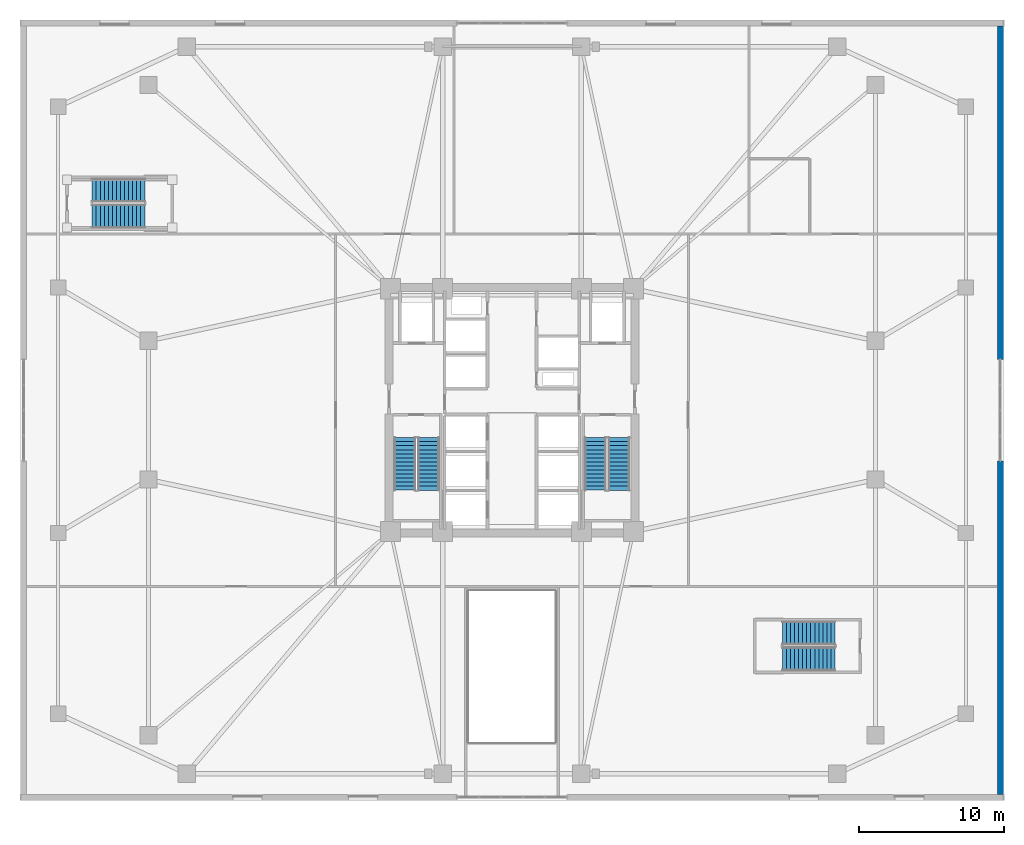
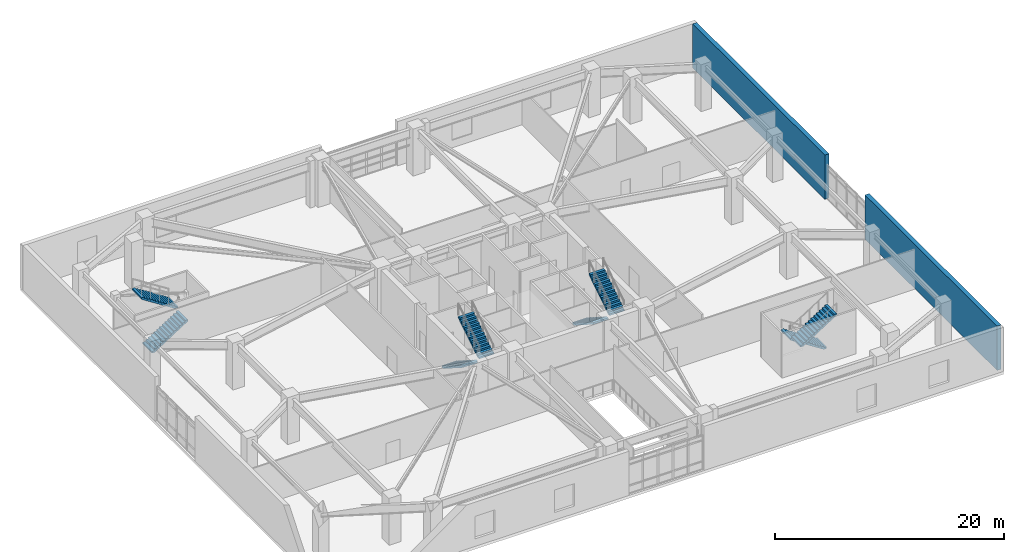
# One storey, part 14 of 20: 8 stair flights, 2 walls, 4 elements without a shape of their own.
"""IFC4 building model written with IfcOpenShell, lengths in metres."""

from ifc_helpers import new_model, si_unit, direction, frame, frame_2d, origin, place, context, subcontext, project, spatial, polyline, rectangle, outline, extrude, material, layer, layer_set, type_object, element, aggregate, save


model = new_model("IFC4")

# Units and contexts
model_context = context("Model", 3, precision=1e-05, world=origin(), true_north=direction((0.0, 1.0)))
body_context = subcontext(model_context, "Body", "Model", "MODEL_VIEW")
ifc_project = project(units=[si_unit("LENGTHUNIT", "METRE"), si_unit("AREAUNIT", "SQUARE_METRE"), si_unit("VOLUMEUNIT", "CUBIC_METRE"), si_unit("PLANEANGLEUNIT", "RADIAN"), si_unit("MASSUNIT", "GRAM", prefix="KILO")], contexts=[model_context])

# Site, building, storey
site_placement = place(None, origin())
site = spatial("IfcSite", under=ifc_project, at=site_placement, CompositionType="ELEMENT")
building_placement = place(site_placement, origin())
building = spatial("IfcBuilding", under=site, at=building_placement, Name="Cairnveth Concourse Tower", CompositionType="ELEMENT")
storey_placement = place(building_placement, frame((0.0, 0.0, 5.0)))
storey = spatial("IfcBuildingStorey", under=building, at=storey_placement, Name="L01", CompositionType="ELEMENT", Elevation=5.0)

# Walls
ifc_material_1 = material(Name="Hawthorn Red-Ochre Fired Clay Brick Masonry", Category="masonry")
ifc_layer = layer(ifc_material_1, 0.419921875)
ifc_layer_set = layer_set([ifc_layer], Name="Hawthorn Red-Ochre Fired Clay Brick Masonry")
wall_type = type_object("IfcWallType", Name="PODIUM HAWTHORN BRICK WALL 420", PredefinedType="SOLIDWALL", material=ifc_layer_set)
for number, where, z_axis, x_axis, name in (
    (1, (85.7900390625, 65.594970703125, 0.0), (0.0, 0.0, 1.0), (0.0, -1.0, 0.0), "Exterior Wall EW-L01-E1"),
    (2, (85.7900390625, 35.5, 0.0), (0.0, 0.0, 1.0), (0.0, -1.0, 0.0), "Exterior Wall EW-L01-E2"),
):
    element("IfcWall", number, at=place(storey_placement, frame(where, z_axis=z_axis, x_axis=x_axis)), inside=storey, type_object=wall_type, Name=name, PredefinedType="SOLIDWALL", context=body_context, shape_type="SweptSolid", body=[
        extrude(rectangle(XDim=23.094970703125, YDim=0.419921875, at=frame_2d((11.54736328125, 0.0))), origin(), (0.0, 0.0, 1.0), 4.719970703125),
    ])

# Stair, stair flights
ifc_material_2 = material(Name="Precast concrete N50 (50 MPa)", Category="concrete")
stair_type_1 = type_object("IfcStairType", Name="CORE DOG-LEG FIRE STAIR 1500", PredefinedType="HALF_TURN_STAIR", material=ifc_material_2)
stair_1_placement = place(storey_placement, origin())
stair_1 = element("IfcStair", 3, at=stair_1_placement, inside=storey, type_object=stair_type_1, Name="L01 Fire-Isolated Stair ST-1", PredefinedType="HALF_TURN_STAIR")
stair_flight_type_1 = type_object("IfcStairFlightType", Name="PRECAST CONCRETE STAIR FLIGHT 1500", PredefinedType="STRAIGHT", material=ifc_material_2)
stair_flight_1_placement = place(storey_placement, frame((44.590087890625, 37.10009765625, 0.0), z_axis=(0.0, 0.0, 1.0), x_axis=(0.0, -1.0, 0.0)))
stair_flight_1 = element("IfcStairFlight", 4, at=stair_flight_1_placement, type_object=stair_flight_type_1, Name="ST-1 flight 1", NumberOfRisers=14, NumberOfTreads=13, PredefinedType="STRAIGHT", RiserHeight=0.178571429, TreadLength=0.28, context=body_context, shape_type="SweptSolid", body=[
    extrude(outline(polyline([(0.0, 0.0), (0.0, 0.178466796875), (0.280029296875, 0.178466796875), (0.280029296875, 0.357177734375), (0.56005859375, 0.357177734375), (0.56005859375, 0.53564453125), (0.840087890625, 0.53564453125), (0.840087890625, 0.71435546875), (1.1201171875, 0.71435546875), (1.1201171875, 0.892822265625), (1.39990234375, 0.892822265625), (1.39990234375, 1.071533203125), (1.679931640625, 1.071533203125), (1.679931640625, 1.25), (1.9599609375, 1.25), (1.9599609375, 1.428466796875), (2.239990234375, 1.428466796875), (2.239990234375, 1.607177734375), (2.52001953125, 1.607177734375), (2.52001953125, 1.78564453125), (2.800048828125, 1.78564453125), (2.800048828125, 1.96435546875), (3.080078125, 1.96435546875), (3.080078125, 2.142822265625), (3.360107421875, 2.142822265625), (3.360107421875, 2.321533203125), (3.639892578125, 2.321533203125), (3.639892578125, 2.5), (3.639892578125, 2.1435546875), (0.27880859375, 0.0), (0.0, 0.0)])), frame((0.0, 0.75, 0.0), z_axis=(0.0, -1.0, 0.0), x_axis=(1.0, 0.0, 0.0)), (0.0, 0.0, 1.0), 1.5),
])
stair_flight_2_placement = place(storey_placement, frame((46.22998046875, 33.4599609375, 2.5), z_axis=(0.0, 0.0, 1.0), x_axis=(0.0, 1.0, 0.0)))
stair_flight_2 = element("IfcStairFlight", 5, at=stair_flight_2_placement, type_object=stair_flight_type_1, Name="ST-1 flight 2", NumberOfRisers=14, NumberOfTreads=13, PredefinedType="STRAIGHT", RiserHeight=0.178571429, TreadLength=0.28, context=body_context, shape_type="SweptSolid", body=[
    extrude(outline(polyline([(0.0, 0.0), (0.0, 0.178466796875), (0.280029296875, 0.178466796875), (0.280029296875, 0.357177734375), (0.56005859375, 0.357177734375), (0.56005859375, 0.53564453125), (0.840087890625, 0.53564453125), (0.840087890625, 0.71435546875), (1.1201171875, 0.71435546875), (1.1201171875, 0.892822265625), (1.39990234375, 0.892822265625), (1.39990234375, 1.071533203125), (1.679931640625, 1.071533203125), (1.679931640625, 1.25), (1.9599609375, 1.25), (1.9599609375, 1.428466796875), (2.239990234375, 1.428466796875), (2.239990234375, 1.607177734375), (2.52001953125, 1.607177734375), (2.52001953125, 1.78564453125), (2.800048828125, 1.78564453125), (2.800048828125, 1.96435546875), (3.080078125, 1.96435546875), (3.080078125, 2.142822265625), (3.360107421875, 2.142822265625), (3.360107421875, 2.321533203125), (3.639892578125, 2.321533203125), (3.639892578125, 2.5), (3.639892578125, 2.1435546875), (0.27880859375, 0.0), (0.0, 0.0)])), frame((0.0, 0.75, 0.0), z_axis=(0.0, -1.0, 0.0), x_axis=(1.0, 0.0, 0.0)), (0.0, 0.0, 1.0), 1.5),
])
aggregate(stair_1, [stair_flight_1, stair_flight_2])

stair_2_placement = place(storey_placement, origin())
stair_2 = element("IfcStair", 6, at=stair_2_placement, inside=storey, type_object=stair_type_1, Name="L01 Fire-Isolated Stair ST-2", PredefinedType="HALF_TURN_STAIR")
stair_flight_3_placement = place(storey_placement, frame((57.77001953125, 37.10009765625, 0.0), z_axis=(0.0, 0.0, 1.0), x_axis=(0.0, -1.0, 0.0)))
stair_flight_3 = element("IfcStairFlight", 7, at=stair_flight_3_placement, type_object=stair_flight_type_1, Name="ST-2 flight 1", NumberOfRisers=14, NumberOfTreads=13, PredefinedType="STRAIGHT", RiserHeight=0.178571429, TreadLength=0.28, context=body_context, shape_type="SweptSolid", body=[
    extrude(outline(polyline([(0.0, 0.0), (0.0, 0.178466796875), (0.280029296875, 0.178466796875), (0.280029296875, 0.357177734375), (0.56005859375, 0.357177734375), (0.56005859375, 0.53564453125), (0.840087890625, 0.53564453125), (0.840087890625, 0.71435546875), (1.1201171875, 0.71435546875), (1.1201171875, 0.892822265625), (1.39990234375, 0.892822265625), (1.39990234375, 1.071533203125), (1.679931640625, 1.071533203125), (1.679931640625, 1.25), (1.9599609375, 1.25), (1.9599609375, 1.428466796875), (2.239990234375, 1.428466796875), (2.239990234375, 1.607177734375), (2.52001953125, 1.607177734375), (2.52001953125, 1.78564453125), (2.800048828125, 1.78564453125), (2.800048828125, 1.96435546875), (3.080078125, 1.96435546875), (3.080078125, 2.142822265625), (3.360107421875, 2.142822265625), (3.360107421875, 2.321533203125), (3.639892578125, 2.321533203125), (3.639892578125, 2.5), (3.639892578125, 2.1435546875), (0.27880859375, 0.0), (0.0, 0.0)])), frame((0.0, 0.75, 0.0), z_axis=(0.0, -1.0, 0.0), x_axis=(1.0, 0.0, 0.0)), (0.0, 0.0, 1.0), 1.5),
])
stair_flight_4_placement = place(storey_placement, frame((59.409912109375, 33.4599609375, 2.5), z_axis=(0.0, 0.0, 1.0), x_axis=(0.0, 1.0, 0.0)))
stair_flight_4 = element("IfcStairFlight", 8, at=stair_flight_4_placement, type_object=stair_flight_type_1, Name="ST-2 flight 2", NumberOfRisers=14, NumberOfTreads=13, PredefinedType="STRAIGHT", RiserHeight=0.178571429, TreadLength=0.28, context=body_context, shape_type="SweptSolid", body=[
    extrude(outline(polyline([(0.0, 0.0), (0.0, 0.178466796875), (0.280029296875, 0.178466796875), (0.280029296875, 0.357177734375), (0.56005859375, 0.357177734375), (0.56005859375, 0.53564453125), (0.840087890625, 0.53564453125), (0.840087890625, 0.71435546875), (1.1201171875, 0.71435546875), (1.1201171875, 0.892822265625), (1.39990234375, 0.892822265625), (1.39990234375, 1.071533203125), (1.679931640625, 1.071533203125), (1.679931640625, 1.25), (1.9599609375, 1.25), (1.9599609375, 1.428466796875), (2.239990234375, 1.428466796875), (2.239990234375, 1.607177734375), (2.52001953125, 1.607177734375), (2.52001953125, 1.78564453125), (2.800048828125, 1.78564453125), (2.800048828125, 1.96435546875), (3.080078125, 1.96435546875), (3.080078125, 2.142822265625), (3.360107421875, 2.142822265625), (3.360107421875, 2.321533203125), (3.639892578125, 2.321533203125), (3.639892578125, 2.5), (3.639892578125, 2.1435546875), (0.27880859375, 0.0), (0.0, 0.0)])), frame((0.0, 0.75, 0.0), z_axis=(0.0, -1.0, 0.0), x_axis=(1.0, 0.0, 0.0)), (0.0, 0.0, 1.0), 1.5),
])
aggregate(stair_2, [stair_flight_3, stair_flight_4])

stair_type_2 = type_object("IfcStairType", Name="PODIUM ESCAPE DOG-LEG STAIR 1650", PredefinedType="HALF_TURN_STAIR", material=ifc_material_2)
stair_3_placement = place(storey_placement, origin())
stair_3 = element("IfcStair", 9, at=stair_3_placement, inside=storey, type_object=stair_type_2, Name="L01 Fire-Isolated Stair ST-P1", PredefinedType="HALF_TURN_STAIR")
stair_flight_type_2 = type_object("IfcStairFlightType", Name="PRECAST CONCRETE STAIR FLIGHT 1650", PredefinedType="STRAIGHT", material=ifc_material_2)
stair_flight_5_placement = place(storey_placement, frame((22.949951171875, 52.425048828125, 0.0), z_axis=(0.0, 0.0, 1.0), x_axis=(1.0, 0.0, 0.0)))
stair_flight_5 = element("IfcStairFlight", 10, at=stair_flight_5_placement, type_object=stair_flight_type_2, Name="ST-P1 flight 1", NumberOfRisers=14, NumberOfTreads=13, PredefinedType="STRAIGHT", RiserHeight=0.178571429, TreadLength=0.28, context=body_context, shape_type="SweptSolid", body=[
    extrude(outline(polyline([(0.0, 0.0), (0.0, 0.178466796875), (0.280029296875, 0.178466796875), (0.280029296875, 0.357177734375), (0.56005859375, 0.357177734375), (0.56005859375, 0.53564453125), (0.840087890625, 0.53564453125), (0.840087890625, 0.71435546875), (1.1201171875, 0.71435546875), (1.1201171875, 0.892822265625), (1.39990234375, 0.892822265625), (1.39990234375, 1.071533203125), (1.679931640625, 1.071533203125), (1.679931640625, 1.25), (1.9599609375, 1.25), (1.9599609375, 1.428466796875), (2.239990234375, 1.428466796875), (2.239990234375, 1.607177734375), (2.52001953125, 1.607177734375), (2.52001953125, 1.78564453125), (2.800048828125, 1.78564453125), (2.800048828125, 1.96435546875), (3.080078125, 1.96435546875), (3.080078125, 2.142822265625), (3.360107421875, 2.142822265625), (3.360107421875, 2.321533203125), (3.639892578125, 2.321533203125), (3.639892578125, 2.5), (3.639892578125, 2.1435546875), (0.27880859375, 0.0), (0.0, 0.0)])), frame((0.0, 0.824951171875, 0.0), z_axis=(0.0, -1.0, 0.0), x_axis=(1.0, 0.0, 0.0)), (0.0, 0.0, 1.0), 1.64990234375),
])
stair_flight_6_placement = place(storey_placement, frame((26.590087890625, 54.215087890625, 2.5), z_axis=(0.0, 0.0, 1.0), x_axis=(-1.0, 0.0, 0.0)))
stair_flight_6 = element("IfcStairFlight", 11, at=stair_flight_6_placement, type_object=stair_flight_type_2, Name="ST-P1 flight 2", NumberOfRisers=14, NumberOfTreads=13, PredefinedType="STRAIGHT", RiserHeight=0.178571429, TreadLength=0.28, context=body_context, shape_type="SweptSolid", body=[
    extrude(outline(polyline([(0.0, 0.0), (0.0, 0.178466796875), (0.280029296875, 0.178466796875), (0.280029296875, 0.357177734375), (0.56005859375, 0.357177734375), (0.56005859375, 0.53564453125), (0.840087890625, 0.53564453125), (0.840087890625, 0.71435546875), (1.1201171875, 0.71435546875), (1.1201171875, 0.892822265625), (1.39990234375, 0.892822265625), (1.39990234375, 1.071533203125), (1.679931640625, 1.071533203125), (1.679931640625, 1.25), (1.9599609375, 1.25), (1.9599609375, 1.428466796875), (2.239990234375, 1.428466796875), (2.239990234375, 1.607177734375), (2.52001953125, 1.607177734375), (2.52001953125, 1.78564453125), (2.800048828125, 1.78564453125), (2.800048828125, 1.96435546875), (3.080078125, 1.96435546875), (3.080078125, 2.142822265625), (3.360107421875, 2.142822265625), (3.360107421875, 2.321533203125), (3.639892578125, 2.321533203125), (3.639892578125, 2.5), (3.639892578125, 2.1435546875), (0.27880859375, 0.0), (0.0, 0.0)])), frame((0.0, 0.824951171875, 0.0), z_axis=(0.0, -1.0, 0.0), x_axis=(1.0, 0.0, 0.0)), (0.0, 0.0, 1.0), 1.64990234375),
])
aggregate(stair_3, [stair_flight_5, stair_flight_6])

stair_4_placement = place(storey_placement, origin())
stair_4 = element("IfcStair", 12, at=stair_4_placement, inside=storey, type_object=stair_type_2, Name="L01 Fire-Isolated Stair ST-P2", PredefinedType="HALF_TURN_STAIR")
stair_flight_7_placement = place(storey_placement, frame((74.35009765625, 23.574951171875, 0.0), z_axis=(0.0, 0.0, 1.0), x_axis=(-1.0, 0.0, 0.0)))
stair_flight_7 = element("IfcStairFlight", 13, at=stair_flight_7_placement, type_object=stair_flight_type_2, Name="ST-P2 flight 1", NumberOfRisers=14, NumberOfTreads=13, PredefinedType="STRAIGHT", RiserHeight=0.178571429, TreadLength=0.28, context=body_context, shape_type="SweptSolid", body=[
    extrude(outline(polyline([(0.0, 0.0), (0.0, 0.178466796875), (0.280029296875, 0.178466796875), (0.280029296875, 0.357177734375), (0.56005859375, 0.357177734375), (0.56005859375, 0.53564453125), (0.840087890625, 0.53564453125), (0.840087890625, 0.71435546875), (1.1201171875, 0.71435546875), (1.1201171875, 0.892822265625), (1.39990234375, 0.892822265625), (1.39990234375, 1.071533203125), (1.679931640625, 1.071533203125), (1.679931640625, 1.25), (1.9599609375, 1.25), (1.9599609375, 1.428466796875), (2.239990234375, 1.428466796875), (2.239990234375, 1.607177734375), (2.52001953125, 1.607177734375), (2.52001953125, 1.78564453125), (2.800048828125, 1.78564453125), (2.800048828125, 1.96435546875), (3.080078125, 1.96435546875), (3.080078125, 2.142822265625), (3.360107421875, 2.142822265625), (3.360107421875, 2.321533203125), (3.639892578125, 2.321533203125), (3.639892578125, 2.5), (3.639892578125, 2.1435546875), (0.27880859375, 0.0), (0.0, 0.0)])), frame((0.0, 0.824951171875, 0.0), z_axis=(0.0, -1.0, 0.0), x_axis=(1.0, 0.0, 0.0)), (0.0, 0.0, 1.0), 1.64990234375),
])
stair_flight_8_placement = place(storey_placement, frame((70.7099609375, 21.784912109375, 2.5), z_axis=(0.0, 0.0, 1.0), x_axis=(1.0, 0.0, 0.0)))
stair_flight_8 = element("IfcStairFlight", 14, at=stair_flight_8_placement, type_object=stair_flight_type_2, Name="ST-P2 flight 2", NumberOfRisers=14, NumberOfTreads=13, PredefinedType="STRAIGHT", RiserHeight=0.178571429, TreadLength=0.28, context=body_context, shape_type="SweptSolid", body=[
    extrude(outline(polyline([(0.0, 0.0), (0.0, 0.178466796875), (0.280029296875, 0.178466796875), (0.280029296875, 0.357177734375), (0.56005859375, 0.357177734375), (0.56005859375, 0.53564453125), (0.840087890625, 0.53564453125), (0.840087890625, 0.71435546875), (1.1201171875, 0.71435546875), (1.1201171875, 0.892822265625), (1.39990234375, 0.892822265625), (1.39990234375, 1.071533203125), (1.679931640625, 1.071533203125), (1.679931640625, 1.25), (1.9599609375, 1.25), (1.9599609375, 1.428466796875), (2.239990234375, 1.428466796875), (2.239990234375, 1.607177734375), (2.52001953125, 1.607177734375), (2.52001953125, 1.78564453125), (2.800048828125, 1.78564453125), (2.800048828125, 1.96435546875), (3.080078125, 1.96435546875), (3.080078125, 2.142822265625), (3.360107421875, 2.142822265625), (3.360107421875, 2.321533203125), (3.639892578125, 2.321533203125), (3.639892578125, 2.5), (3.639892578125, 2.1435546875), (0.27880859375, 0.0), (0.0, 0.0)])), frame((0.0, 0.824951171875, 0.0), z_axis=(0.0, -1.0, 0.0), x_axis=(1.0, 0.0, 0.0)), (0.0, 0.0, 1.0), 1.64990234375),
])
aggregate(stair_4, [stair_flight_7, stair_flight_8])

save(model, "model.ifc")
